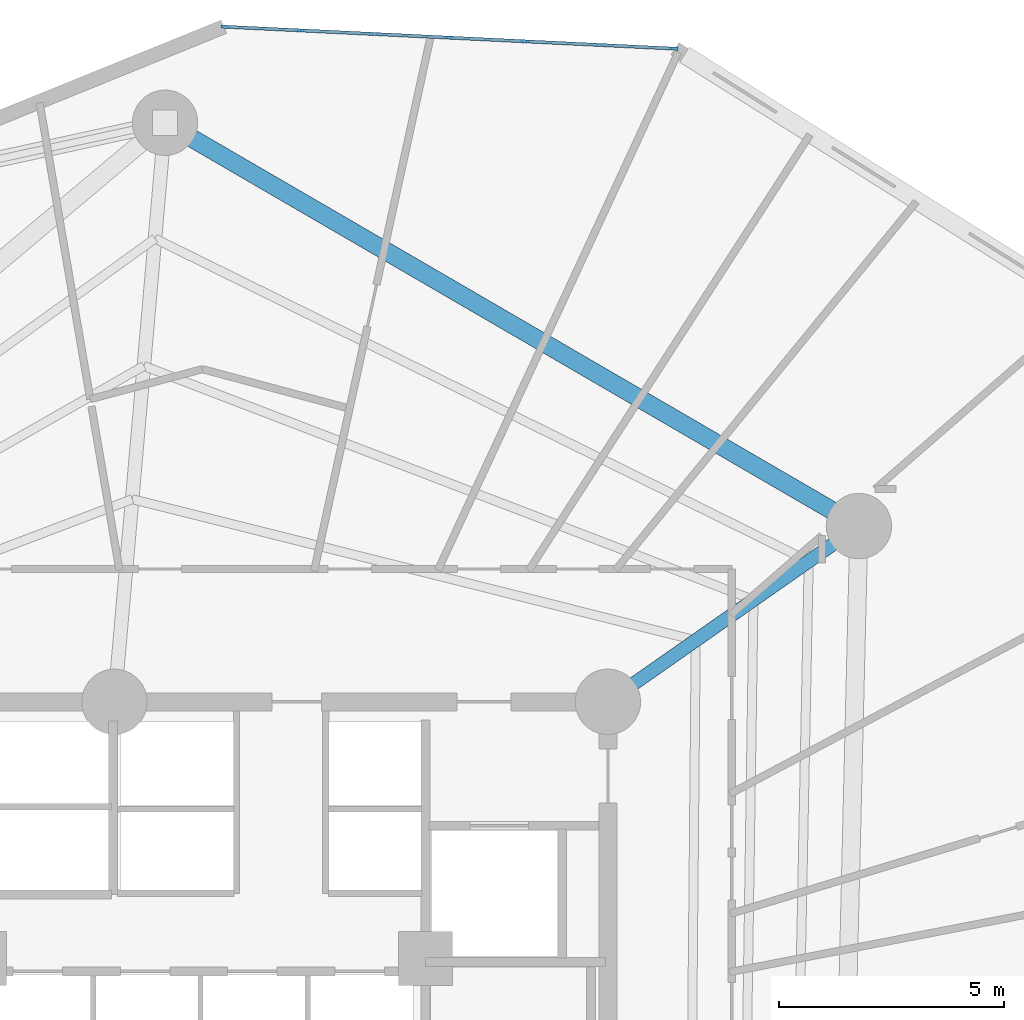
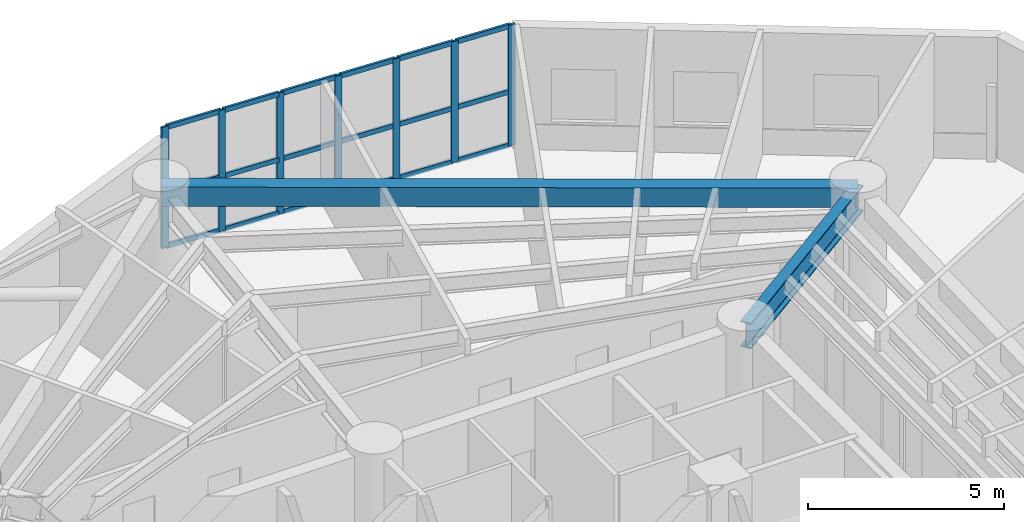
# One storey, part 5 of 14: 25 members, 2 beams, 1 element without a shape of its own.
"""IFC4 building model written with IfcOpenShell, lengths in metres."""

import ifcopenshell
import ifcopenshell.guid

model = None  # the IFC model being written
_history = None  # IfcOwnerHistory: only IFC2X3 demands one
_inside = {}  # id of a spatial element -> (the spatial element, [elements in it])
_under = {}  # id of a project, library or spatial element -> (it, [spatial elements below it])
_declared = {}  # id of a project -> (the project, [libraries it declares])
_typed = {}  # id of a type object -> (the type object, [elements of that type])
_made_of = {}  # id of a material, layer set ... -> (it, [elements and type objects made of it])


def new_model(schema):
    """Start an empty IFC model of exactly this schema.

    Asked for "IFC4X3", IfcOpenShell would pick the latest addendum, in which some entities
    have other attributes; the version numbers below select the first issue.
    IFC2X3 requires an IfcOwnerHistory on every rooted entity: one is made here for all.
    """
    global model, _history
    if schema == "IFC4X3":
        model = ifcopenshell.file(schema_version=(4, 3, 0, 0))
    else:
        model = ifcopenshell.file(schema=schema)
    _inside.clear()
    _under.clear()
    _declared.clear()
    _typed.clear()
    _made_of.clear()
    _history = None
    if model.schema == "IFC2X3":
        org = make("IfcOrganization", Name="unknown")
        user = make(
            "IfcPersonAndOrganization",
            ThePerson=make("IfcPerson", FamilyName="unknown"),
            TheOrganization=org,
        )
        app = make(
            "IfcApplication",
            ApplicationDeveloper=org,
            Version="unknown",
            ApplicationFullName="unknown",
            ApplicationIdentifier="unknown",
        )
        _history = make(
            "IfcOwnerHistory",
            OwningUser=user,
            OwningApplication=app,
            ChangeAction="ADDED",
            CreationDate=0,
        )
    return model


def make(cls, **values):
    """One entity of the class cls with the attributes given. An attribute that is None is left unset."""
    return model.create_entity(
        cls, **{name: value for name, value in values.items() if value is not None}
    )


def rooted(cls, **values):
    """An entity with a GlobalId (a new one), such as an element, a storey or a relation."""
    return make(cls, GlobalId=ifcopenshell.guid.new(), OwnerHistory=_history, **values)


def si_unit(unit_type, name, prefix=None):
    """IfcSIUnit, for example si_unit("LENGTHUNIT", "METRE", prefix="MILLI")."""
    return make("IfcSIUnit", UnitType=unit_type, Prefix=prefix, Name=name)


def assignment(units):
    """IfcUnitAssignment: the units of a project."""
    return None if units is None else make("IfcUnitAssignment", Units=units)


def point(xyz):
    """IfcCartesianPoint."""
    return None if xyz is None else make("IfcCartesianPoint", Coordinates=xyz)


def direction(xyz):
    """IfcDirection."""
    return None if xyz is None else make("IfcDirection", DirectionRatios=xyz)


def frame(location, z_axis=None, x_axis=None):
    """IfcAxis2Placement3D, a coordinate frame: its origin and axes. An axis left out is left unset."""
    return make(
        "IfcAxis2Placement3D",
        Location=point(location),
        Axis=direction(z_axis),
        RefDirection=direction(x_axis),
    )


def frame_2d(location, x_axis=None):
    """IfcAxis2Placement2D, a coordinate frame in the plane: its origin and x axis."""
    return make(
        "IfcAxis2Placement2D", Location=point(location), RefDirection=direction(x_axis)
    )


def origin():
    """The frame at (0, 0, 0) with its axes left unset."""
    return frame((0.0, 0.0, 0.0))


def origin_with_axes():
    """The frame at (0, 0, 0) with the z axis (0, 0, 1) and the x axis (1, 0, 0) written out."""
    return frame((0.0, 0.0, 0.0), z_axis=(0.0, 0.0, 1.0), x_axis=(1.0, 0.0, 0.0))


def origin_2d():
    """The frame at (0, 0) in the plane with its x axis left unset."""
    return frame_2d((0.0, 0.0))


def place(relative_to, where):
    """IfcLocalPlacement: puts the frame where relative to a parent placement (None: the world)."""
    return make(
        "IfcLocalPlacement", PlacementRelTo=relative_to, RelativePlacement=where
    )


def context(
    kind, dimensions, precision=None, world=None, true_north=None, identifier=None
):
    """IfcGeometricRepresentationContext, for example the 3D "Model" context."""
    return make(
        "IfcGeometricRepresentationContext",
        ContextIdentifier=identifier,
        ContextType=kind,
        CoordinateSpaceDimension=dimensions,
        Precision=precision,
        WorldCoordinateSystem=world,
        TrueNorth=true_north,
    )


def subcontext(parent, identifier, kind, view, scale=None):
    """IfcGeometricRepresentationSubContext, for example "Body" below "Model"."""
    return make(
        "IfcGeometricRepresentationSubContext",
        ContextIdentifier=identifier,
        ContextType=kind,
        ParentContext=parent,
        TargetScale=scale,
        TargetView=view,
    )


def project(units=None, contexts=None):
    """IfcProject with its units and contexts."""
    return rooted(
        "IfcProject",
        Name="project",
        RepresentationContexts=contexts,
        UnitsInContext=assignment(units),
    )


def spatial(cls, under=None, at=None, **own):
    """A site, building, storey or space (cls), placed at a placement, below another one or the project."""
    s = rooted(cls, ObjectPlacement=at, **own)
    if under is not None:
        _under.setdefault(under.id(), (under, []))[1].append(s)
    return s


def profile(cls, at=None, kind="AREA", **sizes):
    """A parametric profile (cls). Its sizes go by their IFC names, for example OverallWidth=200.0."""
    return make(cls, ProfileType=kind, Position=at, **sizes)


def rectangle(**sizes):
    """IfcRectangleProfileDef."""
    return profile("IfcRectangleProfileDef", **sizes)


def i_section(**sizes):
    """IfcIShapeProfileDef."""
    return profile("IfcIShapeProfileDef", **sizes)


def extrude(swept, where, along, depth):
    """IfcExtrudedAreaSolid: the profile swept, set in the frame where, extruded along a direction by depth."""
    return make(
        "IfcExtrudedAreaSolid",
        SweptArea=swept,
        Position=where,
        ExtrudedDirection=direction(along),
        Depth=depth,
    )


def shape(context_of_items, identifier, shape_type, items):
    """IfcShapeRepresentation: the items that make up one representation, for example the "Body"."""
    return make(
        "IfcShapeRepresentation",
        ContextOfItems=context_of_items,
        RepresentationIdentifier=identifier,
        RepresentationType=shape_type,
        Items=items,
    )


def source(mapping_origin, context_of_items, identifier, shape_type, items):
    """IfcRepresentationMap: a shape defined once, which mapped items show again and again."""
    return make(
        "IfcRepresentationMap",
        MappingOrigin=mapping_origin,
        MappedRepresentation=shape(context_of_items, identifier, shape_type, items),
    )


def transform(
    local_origin,
    x_axis=None,
    y_axis=None,
    z_axis=None,
    scale=None,
    scale2=None,
    scale3=None,
    uniform=True,
):
    """IfcCartesianTransformationOperator3D, or its non-uniform kind. x_axis, y_axis, z_axis: its Axis1, 2, 3."""
    if uniform:
        return make(
            "IfcCartesianTransformationOperator3D",
            Axis1=direction(x_axis),
            Axis2=direction(y_axis),
            LocalOrigin=point(local_origin),
            Scale=scale,
            Axis3=direction(z_axis),
        )
    return make(
        "IfcCartesianTransformationOperator3DnonUniform",
        Axis1=direction(x_axis),
        Axis2=direction(y_axis),
        LocalOrigin=point(local_origin),
        Scale=scale,
        Axis3=direction(z_axis),
        Scale2=scale2,
        Scale3=scale3,
    )


def mapped(mapping_source, mapping_target):
    """IfcMappedItem: shows the shape of a source again, moved by a transform."""
    return make(
        "IfcMappedItem", MappingSource=mapping_source, MappingTarget=mapping_target
    )


def material(Name=None, Category=None):
    """IfcMaterial."""
    return make("IfcMaterial", Name=Name, Category=Category)


def layer(
    of_material, thickness, ventilated=None, Name=None, Category=None, Priority=None
):
    """IfcMaterialLayer: one layer of a wall or slab, of a material (None: an air gap)."""
    return make(
        "IfcMaterialLayer",
        Material=of_material,
        LayerThickness=thickness,
        IsVentilated=ventilated,
        Name=Name,
        Category=Category,
        Priority=Priority,
    )


def layer_set(layers, Name=None):
    """IfcMaterialLayerSet."""
    return make("IfcMaterialLayerSet", MaterialLayers=layers, LayerSetName=Name)


def material_profile(
    of_material, cross_section, Name=None, Category=None, Priority=None
):
    """IfcMaterialProfile: a cross section and its material."""
    return make(
        "IfcMaterialProfile",
        Name=Name,
        Material=of_material,
        Profile=cross_section,
        Priority=Priority,
        Category=Category,
    )


def profile_set(profiles, Name=None, composite=None):
    """IfcMaterialProfileSet."""
    return make(
        "IfcMaterialProfileSet",
        Name=Name,
        MaterialProfiles=profiles,
        CompositeProfile=composite,
    )


def made_of(thing, what):
    """Note that an element or type object is made of a material, layer set ...; save() writes the relation."""
    if what is not None:
        _made_of.setdefault(what.id(), (what, []))[1].append(thing)
    return thing


def type_object(cls, material=None, **own):
    """A type object (cls), such as IfcWallType, which elements share."""
    return made_of(rooted(cls, **own), material)


def element(
    cls,
    number,
    at=None,
    inside=None,
    cuts=None,
    type_object=None,
    material=None,
    context=None,
    identifier="Body",
    shape_type=None,
    held_by="IfcProductDefinitionShape",
    body=None,
    shapes=None,
    **own,
):
    """One element of the class cls, such as IfcWall. Its Tag is "e" and its number.

    at: its placement. inside: the storey or other place that contains it. cuts: it is an
    opening in that element (IfcRelVoidsElement). A single representation is given by context,
    identifier, shape_type and body (its items); several are given by shapes. held_by: the class
    of the entity that holds the representations. save() writes the other relations.
    """
    e = rooted(cls, Tag="e%d" % number, ObjectPlacement=at, **own)
    if body is not None:
        shapes = [shape(context, identifier, shape_type, body)]
    if shapes is not None:
        e.Representation = make(held_by, Representations=shapes)
    if inside is not None:
        _inside.setdefault(inside.id(), (inside, []))[1].append(e)
    if cuts is not None:
        rooted(
            "IfcRelVoidsElement", RelatingBuildingElement=cuts, RelatedOpeningElement=e
        )
    if type_object is not None:
        _typed.setdefault(type_object.id(), (type_object, []))[1].append(e)
    return made_of(e, material)


def aggregate(whole, parts):
    """IfcRelAggregates: a whole, such as a stair, and the parts it consists of."""
    return rooted("IfcRelAggregates", RelatingObject=whole, RelatedObjects=parts)


def save(model, path):
    """Write the relations noted so far, then the file.

    IfcRelAggregates (storeys below a building ...), IfcRelContainedInSpatialStructure (elements
    in a storey), IfcRelDefinesByType, IfcRelAssociatesMaterial and IfcRelDeclares: one each for
    every whole, place, type object, material and project.
    """
    for whole, parts in _under.values():
        aggregate(whole, parts)
    for where, things in _inside.values():
        rooted(
            "IfcRelContainedInSpatialStructure",
            RelatedElements=things,
            RelatingStructure=where,
        )
    for kind, things in _typed.values():
        rooted("IfcRelDefinesByType", RelatedObjects=things, RelatingType=kind)
    for what, things in _made_of.values():
        rooted("IfcRelAssociatesMaterial", RelatedObjects=things, RelatingMaterial=what)
    for by, libraries in _declared.values():
        rooted("IfcRelDeclares", RelatingContext=by, RelatedDefinitions=libraries)
    model.write(path)


model = new_model("IFC4")

# Units and contexts
model_context = context("Model", 3, precision=1e-05, world=origin(), true_north=direction((0.0, 1.0)))
body_context = subcontext(model_context, "Body", "Model", "MODEL_VIEW")
ifc_project = project(units=[si_unit("LENGTHUNIT", "METRE"), si_unit("AREAUNIT", "SQUARE_METRE"), si_unit("VOLUMEUNIT", "CUBIC_METRE"), si_unit("PLANEANGLEUNIT", "RADIAN"), si_unit("MASSUNIT", "GRAM", prefix="KILO")], contexts=[model_context])

# Site, building, storey
site_placement = place(None, origin())
site = spatial("IfcSite", under=ifc_project, at=site_placement, CompositionType="ELEMENT")
building_placement = place(site_placement, origin())
building = spatial("IfcBuilding", under=site, at=building_placement, Name="Karkom Vertical University and Central Library", CompositionType="ELEMENT")
storey_placement = place(building_placement, frame((0.0, 0.0, 92.199951171875)))
storey = spatial("IfcBuildingStorey", under=building, at=storey_placement, Name="L24", CompositionType="ELEMENT", Elevation=92.199951171875)

# Beams
ifc_material_1 = material(Name="Steel S355", Category="steel")
ifc_material_profile_1 = material_profile(ifc_material_1, i_section(OverallWidth=0.300048828125, OverallDepth=0.800048828125, WebThickness=0.017578125, FlangeThickness=0.032958984375, FilletRadius=0.030029296875, at=origin_2d()), Name="HE 800 B")
ifc_profile_set_1 = profile_set([ifc_material_profile_1], Name="Steel S355")
beam_type_1 = type_object("IfcBeamType", Name="STR-BM-SB-HE800", PredefinedType="USERDEFINED", material=ifc_profile_set_1)
shared_shape_1 = source(origin_with_axes(), body_context, "Body", "SweptSolid", [
    extrude(i_section(OverallWidth=0.300048828125, OverallDepth=0.800048828125, WebThickness=0.017578125, FlangeThickness=0.032958984375, FilletRadius=0.030029296875, at=origin_2d()), origin(), (0.0, 0.0, 1.0), 6.7998046875),
])
beam_1_placement = place(storey_placement, frame((37.5, 34.699951171875, 3.375), z_axis=(0.819156008334, 0.573570775066, 0.0), x_axis=(-0.573570775066, 0.819156008334, 0.0)))
element("IfcBeam", 1, at=beam_1_placement, inside=storey, type_object=beam_type_1, Name="Level 24 Radial Frame Girder 02", ObjectType="GIRDER", PredefinedType="USERDEFINED", context=body_context, shape_type="MappedRepresentation", body=[
    mapped(shared_shape_1, transform((0.0, 0.0, 0.0), scale=1.0)),
])
ifc_material_2 = material(Name="Precast concrete C45/55", Category="concrete")
ifc_material_profile_2 = material_profile(ifc_material_2, rectangle(XDim=0.39990234375, YDim=0.60009765625, at=origin_2d()), Name="SPB-400x600")
ifc_profile_set_2 = profile_set([ifc_material_profile_2], Name="Precast concrete C45/55")
beam_type_2 = type_object("IfcBeamType", Name="STR-BM-SP-1", PredefinedType="SPANDREL", material=ifc_profile_set_2)
shared_shape_2 = source(origin_with_axes(), body_context, "Body", "SweptSolid", [
    extrude(rectangle(XDim=0.39990234375, YDim=0.60009765625, at=origin_2d()), origin(), (0.0, 0.0, 1.0), 17.808837890625),
])
beam_2_placement = place(storey_placement, frame((43.070068359375, 38.60009765625, 3.47509765625), z_axis=(-0.864512866362, 0.502610688202, 0.0), x_axis=(-0.502610688202, -0.864512866362, 0.0)))
element("IfcBeam", 2, at=beam_2_placement, inside=storey, type_object=beam_type_2, Name="Level 24 Perimeter Spandrel Beam 02", PredefinedType="SPANDREL", context=body_context, shape_type="MappedRepresentation", body=[
    mapped(shared_shape_2, transform((0.0, 0.0, 0.0), scale=1.0)),
])

# Curtain wall, members
ifc_material_3 = material(Name="Aluminium curtain-wall framing and low-E IGU", Category="aluminium")
ifc_layer = layer(ifc_material_3, 0.199951171875)
ifc_layer_set = layer_set([ifc_layer], Name="Aluminium curtain-wall framing and low-E IGU")
curtain_wall_type = type_object("IfcCurtainWallType", Name="ENV-CW-5", PredefinedType="USERDEFINED", material=ifc_layer_set)
curtain_wall_placement = place(storey_placement, origin())
curtain_wall = element("IfcCurtainWall", 3, at=curtain_wall_placement, inside=storey, type_object=curtain_wall_type, Name="Level 24 CW-5 Curtain Wall L24-CW5-10", ObjectType="UNITISED GLAZING", PredefinedType="USERDEFINED")
ifc_material_4 = material(Name="Anodised Aluminium 6063-T6", Category="aluminium")
ifc_material_profile_3 = material_profile(ifc_material_4, rectangle(XDim=0.070068359375, YDim=0.199951171875, at=origin_2d()), Name="ALU-M70x200")
ifc_profile_set_3 = profile_set([ifc_material_profile_3], Name="Anodised Aluminium 6063-T6")
member_type_1 = type_object("IfcMemberType", Name="ENV-MEM-ALU-M70x200", PredefinedType="MULLION", material=ifc_profile_set_3)
shared_shape_3 = source(origin_with_axes(), body_context, "Body", "SweptSolid", [
    extrude(rectangle(XDim=0.070068359375, YDim=0.199951171875, at=origin_2d()), origin(), (0.0, 0.0, 1.0), 3.775146484375),
])
member_1_placement = place(storey_placement, frame((38.9541015625, 49.196533203125, 0.0), z_axis=(0.0, 0.0, 1.0), x_axis=(-0.048636375046, -0.998816551236, 0.0)))
member_1 = element("IfcMember", 4, at=member_1_placement, type_object=member_type_1, Name="CW-5 mullion 1", PredefinedType="MULLION", context=body_context, shape_type="MappedRepresentation", body=[
    mapped(shared_shape_3, transform((0.0, 0.0, 0.0), scale=1.0)),
])
member_2_placement = place(storey_placement, frame((37.3203125, 49.276123046875, 0.0), z_axis=(0.0, 0.0, 1.0), x_axis=(-0.048636375046, -0.998816551236, 0.0)))
member_2 = element("IfcMember", 5, at=member_2_placement, type_object=member_type_1, Name="CW-5 mullion 2", PredefinedType="MULLION", context=body_context, shape_type="MappedRepresentation", body=[
    mapped(shared_shape_3, transform((0.0, 0.0, 0.0), scale=1.0)),
])
member_3_placement = place(storey_placement, frame((35.65185546875, 49.357421875, 0.0), z_axis=(0.0, 0.0, 1.0), x_axis=(-0.048636375046, -0.998816551236, 0.0)))
member_3 = element("IfcMember", 6, at=member_3_placement, type_object=member_type_1, Name="CW-5 mullion 3", PredefinedType="MULLION", context=body_context, shape_type="MappedRepresentation", body=[
    mapped(shared_shape_3, transform((0.0, 0.0, 0.0), scale=1.0)),
])
member_4_placement = place(storey_placement, frame((33.983154296875, 49.438720703125, 0.0), z_axis=(0.0, 0.0, 1.0), x_axis=(-0.048636375046, -0.998816551236, 0.0)))
member_4 = element("IfcMember", 7, at=member_4_placement, type_object=member_type_1, Name="CW-5 mullion 4", PredefinedType="MULLION", context=body_context, shape_type="MappedRepresentation", body=[
    mapped(shared_shape_3, transform((0.0, 0.0, 0.0), scale=1.0)),
])
member_5_placement = place(storey_placement, frame((32.314697265625, 49.52001953125, 0.0), z_axis=(0.0, 0.0, 1.0), x_axis=(-0.048636375046, -0.998816551236, 0.0)))
member_5 = element("IfcMember", 8, at=member_5_placement, type_object=member_type_1, Name="CW-5 mullion 5", PredefinedType="MULLION", context=body_context, shape_type="MappedRepresentation", body=[
    mapped(shared_shape_3, transform((0.0, 0.0, 0.0), scale=1.0)),
])
member_6_placement = place(storey_placement, frame((30.64599609375, 49.60107421875, 0.0), z_axis=(0.0, 0.0, 1.0), x_axis=(-0.048636375046, -0.998816551236, 0.0)))
member_6 = element("IfcMember", 9, at=member_6_placement, type_object=member_type_1, Name="CW-5 mullion 6", PredefinedType="MULLION", context=body_context, shape_type="MappedRepresentation", body=[
    mapped(shared_shape_3, transform((0.0, 0.0, 0.0), scale=1.0)),
])
member_7_placement = place(storey_placement, frame((29.012451171875, 49.6806640625, 0.0), z_axis=(0.0, 0.0, 1.0), x_axis=(-0.048636375046, -0.998816551236, 0.0)))
member_7 = element("IfcMember", 10, at=member_7_placement, type_object=member_type_1, Name="CW-5 mullion 7", PredefinedType="MULLION", context=body_context, shape_type="MappedRepresentation", body=[
    mapped(shared_shape_3, transform((0.0, 0.0, 0.0), scale=1.0)),
])
ifc_material_profile_4 = material_profile(ifc_material_4, rectangle(XDim=0.070068359375, YDim=0.14990234375, at=origin_2d()), Name="ALU-T70x150")
ifc_profile_set_4 = profile_set([ifc_material_profile_4], Name="Anodised Aluminium 6063-T6")
member_type_2 = type_object("IfcMemberType", Name="ENV-MEM-ALU-T70x150", PredefinedType="USERDEFINED", material=ifc_profile_set_4)
shared_shape_4 = source(origin_with_axes(), body_context, "Body", "SweptSolid", [
    extrude(rectangle(XDim=0.070068359375, YDim=0.14990234375, at=origin_2d()), origin(), (0.0, 0.0, 1.0), 1.6005859375),
])
member_8_placement = place(storey_placement, frame((37.285400390625, 49.27783203125, 0.03515625), z_axis=(-0.99881542704, 0.04865945651, 0.0), x_axis=(-0.04865945651, -0.99881542704, 0.0)))
member_8 = element("IfcMember", 11, at=member_8_placement, type_object=member_type_2, Name="CW-5 transom 2.1", ObjectType="TRANSOM", PredefinedType="USERDEFINED", context=body_context, shape_type="MappedRepresentation", body=[
    mapped(shared_shape_4, transform((0.0, 0.0, 0.0), scale=1.0)),
])
member_9_placement = place(storey_placement, frame((37.285400390625, 49.27783203125, 1.69873046875), z_axis=(-0.99881542704, 0.04865945651, 0.0), x_axis=(-0.04865945651, -0.99881542704, 0.0)))
member_9 = element("IfcMember", 12, at=member_9_placement, type_object=member_type_2, Name="CW-5 transom 2.2", ObjectType="TRANSOM", PredefinedType="USERDEFINED", context=body_context, shape_type="MappedRepresentation", body=[
    mapped(shared_shape_4, transform((0.0, 0.0, 0.0), scale=1.0)),
])
member_10_placement = place(storey_placement, frame((37.285400390625, 49.27783203125, 3.739990234375), z_axis=(-0.99881542704, 0.04865945651, 0.0), x_axis=(-0.04865945651, -0.99881542704, 0.0)))
member_10 = element("IfcMember", 13, at=member_10_placement, type_object=member_type_2, Name="CW-5 transom 2.3", ObjectType="TRANSOM", PredefinedType="USERDEFINED", context=body_context, shape_type="MappedRepresentation", body=[
    mapped(shared_shape_4, transform((0.0, 0.0, 0.0), scale=1.0)),
])
member_11_placement = place(storey_placement, frame((35.616943359375, 49.359130859375, 0.03515625), z_axis=(-0.99881542704, 0.04865945651, 0.0), x_axis=(-0.04865945651, -0.99881542704, 0.0)))
member_11 = element("IfcMember", 14, at=member_11_placement, type_object=member_type_2, Name="CW-5 transom 3.1", ObjectType="TRANSOM", PredefinedType="USERDEFINED", context=body_context, shape_type="MappedRepresentation", body=[
    mapped(shared_shape_4, transform((0.0, 0.0, 0.0), scale=1.0)),
])
member_12_placement = place(storey_placement, frame((35.616943359375, 49.359130859375, 1.69873046875), z_axis=(-0.99881542704, 0.04865945651, 0.0), x_axis=(-0.04865945651, -0.99881542704, 0.0)))
member_12 = element("IfcMember", 15, at=member_12_placement, type_object=member_type_2, Name="CW-5 transom 3.2", ObjectType="TRANSOM", PredefinedType="USERDEFINED", context=body_context, shape_type="MappedRepresentation", body=[
    mapped(shared_shape_4, transform((0.0, 0.0, 0.0), scale=1.0)),
])
member_13_placement = place(storey_placement, frame((35.616943359375, 49.359130859375, 3.739990234375), z_axis=(-0.99881542704, 0.04865945651, 0.0), x_axis=(-0.04865945651, -0.99881542704, 0.0)))
member_13 = element("IfcMember", 16, at=member_13_placement, type_object=member_type_2, Name="CW-5 transom 3.3", ObjectType="TRANSOM", PredefinedType="USERDEFINED", context=body_context, shape_type="MappedRepresentation", body=[
    mapped(shared_shape_4, transform((0.0, 0.0, 0.0), scale=1.0)),
])
member_14_placement = place(storey_placement, frame((33.9482421875, 49.4404296875, 0.03515625), z_axis=(-0.99881542704, 0.04865945651, 0.0), x_axis=(-0.04865945651, -0.99881542704, 0.0)))
member_14 = element("IfcMember", 17, at=member_14_placement, type_object=member_type_2, Name="CW-5 transom 4.1", ObjectType="TRANSOM", PredefinedType="USERDEFINED", context=body_context, shape_type="MappedRepresentation", body=[
    mapped(shared_shape_4, transform((0.0, 0.0, 0.0), scale=1.0)),
])
member_15_placement = place(storey_placement, frame((33.9482421875, 49.4404296875, 1.69873046875), z_axis=(-0.99881542704, 0.04865945651, 0.0), x_axis=(-0.04865945651, -0.99881542704, 0.0)))
member_15 = element("IfcMember", 18, at=member_15_placement, type_object=member_type_2, Name="CW-5 transom 4.2", ObjectType="TRANSOM", PredefinedType="USERDEFINED", context=body_context, shape_type="MappedRepresentation", body=[
    mapped(shared_shape_4, transform((0.0, 0.0, 0.0), scale=1.0)),
])
member_16_placement = place(storey_placement, frame((33.9482421875, 49.4404296875, 3.739990234375), z_axis=(-0.99881542704, 0.04865945651, 0.0), x_axis=(-0.04865945651, -0.99881542704, 0.0)))
member_16 = element("IfcMember", 19, at=member_16_placement, type_object=member_type_2, Name="CW-5 transom 4.3", ObjectType="TRANSOM", PredefinedType="USERDEFINED", context=body_context, shape_type="MappedRepresentation", body=[
    mapped(shared_shape_4, transform((0.0, 0.0, 0.0), scale=1.0)),
])
member_17_placement = place(storey_placement, frame((32.27978515625, 49.521484375, 0.03515625), z_axis=(-0.99881542704, 0.04865945651, 0.0), x_axis=(-0.04865945651, -0.99881542704, 0.0)))
member_17 = element("IfcMember", 20, at=member_17_placement, type_object=member_type_2, Name="CW-5 transom 5.1", ObjectType="TRANSOM", PredefinedType="USERDEFINED", context=body_context, shape_type="MappedRepresentation", body=[
    mapped(shared_shape_4, transform((0.0, 0.0, 0.0), scale=1.0)),
])
member_18_placement = place(storey_placement, frame((32.27978515625, 49.521484375, 1.69873046875), z_axis=(-0.99881542704, 0.04865945651, 0.0), x_axis=(-0.04865945651, -0.99881542704, 0.0)))
member_18 = element("IfcMember", 21, at=member_18_placement, type_object=member_type_2, Name="CW-5 transom 5.2", ObjectType="TRANSOM", PredefinedType="USERDEFINED", context=body_context, shape_type="MappedRepresentation", body=[
    mapped(shared_shape_4, transform((0.0, 0.0, 0.0), scale=1.0)),
])
member_19_placement = place(storey_placement, frame((32.27978515625, 49.521484375, 3.739990234375), z_axis=(-0.99881542704, 0.04865945651, 0.0), x_axis=(-0.04865945651, -0.99881542704, 0.0)))
member_19 = element("IfcMember", 22, at=member_19_placement, type_object=member_type_2, Name="CW-5 transom 5.3", ObjectType="TRANSOM", PredefinedType="USERDEFINED", context=body_context, shape_type="MappedRepresentation", body=[
    mapped(shared_shape_4, transform((0.0, 0.0, 0.0), scale=1.0)),
])
shared_shape_5 = source(origin_with_axes(), body_context, "Body", "SweptSolid", [
    extrude(rectangle(XDim=0.070068359375, YDim=0.14990234375, at=origin_2d()), origin(), (0.0, 0.0, 1.0), 1.565673828125),
])
member_20_placement = place(storey_placement, frame((38.919189453125, 49.1982421875, 0.03515625), z_axis=(-0.998815680512, 0.04865425329, 0.0), x_axis=(-0.04865425329, -0.998815680512, 0.0)))
member_20 = element("IfcMember", 23, at=member_20_placement, type_object=member_type_2, Name="CW-5 transom 1.1", ObjectType="TRANSOM", PredefinedType="USERDEFINED", context=body_context, shape_type="MappedRepresentation", body=[
    mapped(shared_shape_5, transform((0.0, 0.0, 0.0), scale=1.0)),
])
member_21_placement = place(storey_placement, frame((38.919189453125, 49.1982421875, 1.69873046875), z_axis=(-0.998815680512, 0.04865425329, 0.0), x_axis=(-0.04865425329, -0.998815680512, 0.0)))
member_21 = element("IfcMember", 24, at=member_21_placement, type_object=member_type_2, Name="CW-5 transom 1.2", ObjectType="TRANSOM", PredefinedType="USERDEFINED", context=body_context, shape_type="MappedRepresentation", body=[
    mapped(shared_shape_5, transform((0.0, 0.0, 0.0), scale=1.0)),
])
member_22_placement = place(storey_placement, frame((38.919189453125, 49.1982421875, 3.739990234375), z_axis=(-0.998815680512, 0.04865425329, 0.0), x_axis=(-0.04865425329, -0.998815680512, 0.0)))
member_22 = element("IfcMember", 25, at=member_22_placement, type_object=member_type_2, Name="CW-5 transom 1.3", ObjectType="TRANSOM", PredefinedType="USERDEFINED", context=body_context, shape_type="MappedRepresentation", body=[
    mapped(shared_shape_5, transform((0.0, 0.0, 0.0), scale=1.0)),
])
member_23_placement = place(storey_placement, frame((30.611083984375, 49.602783203125, 0.03515625), z_axis=(-0.998815680512, 0.04865425329, 0.0), x_axis=(-0.04865425329, -0.998815680512, 0.0)))
member_23 = element("IfcMember", 26, at=member_23_placement, type_object=member_type_2, Name="CW-5 transom 6.1", ObjectType="TRANSOM", PredefinedType="USERDEFINED", context=body_context, shape_type="MappedRepresentation", body=[
    mapped(shared_shape_5, transform((0.0, 0.0, 0.0), scale=1.0)),
])
member_24_placement = place(storey_placement, frame((30.611083984375, 49.602783203125, 1.69873046875), z_axis=(-0.998815680512, 0.04865425329, 0.0), x_axis=(-0.04865425329, -0.998815680512, 0.0)))
member_24 = element("IfcMember", 27, at=member_24_placement, type_object=member_type_2, Name="CW-5 transom 6.2", ObjectType="TRANSOM", PredefinedType="USERDEFINED", context=body_context, shape_type="MappedRepresentation", body=[
    mapped(shared_shape_5, transform((0.0, 0.0, 0.0), scale=1.0)),
])
member_25_placement = place(storey_placement, frame((30.611083984375, 49.602783203125, 3.739990234375), z_axis=(-0.998815680512, 0.04865425329, 0.0), x_axis=(-0.04865425329, -0.998815680512, 0.0)))
member_25 = element("IfcMember", 28, at=member_25_placement, type_object=member_type_2, Name="CW-5 transom 6.3", ObjectType="TRANSOM", PredefinedType="USERDEFINED", context=body_context, shape_type="MappedRepresentation", body=[
    mapped(shared_shape_5, transform((0.0, 0.0, 0.0), scale=1.0)),
])
aggregate(curtain_wall, [member_1, member_2, member_3, member_4, member_5, member_6, member_7, member_20, member_21, member_22, member_8, member_9, member_10, member_11, member_12, member_13, member_14, member_15, member_16, member_17, member_18, member_19, member_23, member_24, member_25])

save(model, "model.ifc")
